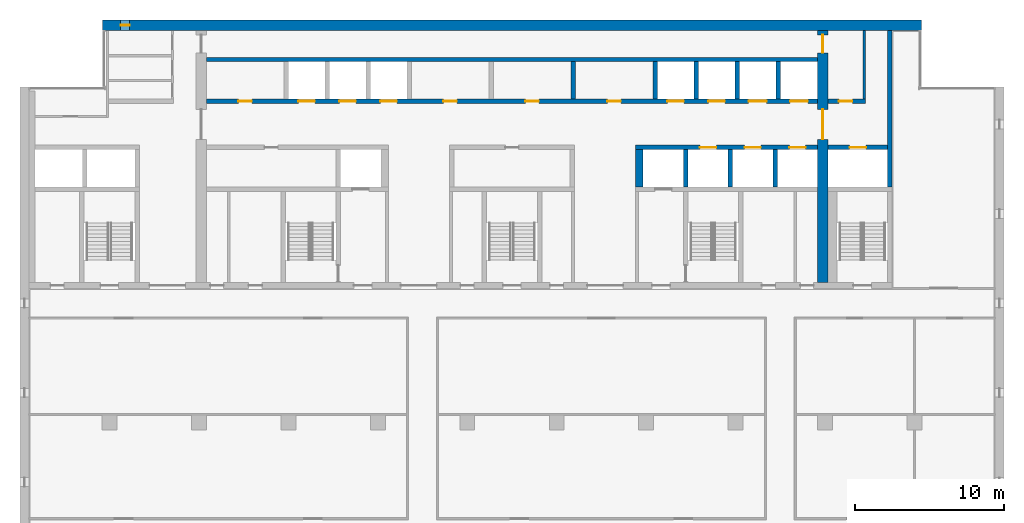
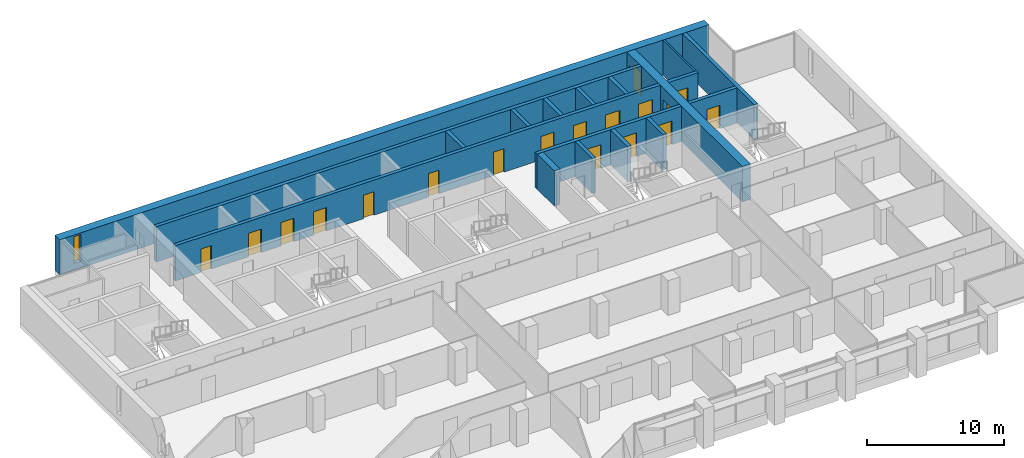
# One storey, part 11 of 16: 18 doors, 18 walls, 1 window, 19 openings.
"""IFC4 building model written with IfcOpenShell, lengths in metres."""

from ifc_helpers import new_model, si_unit, direction, frame, frame_2d, origin, place, context, subcontext, project, spatial, rectangle, extrude, material, layer, layer_set, type_object, element, fill, save


model = new_model("IFC4")

# Units and contexts
model_context = context("Model", 3, precision=1e-05, world=origin(), true_north=direction((0.0, 1.0)))
body_context = subcontext(model_context, "Body", "Model", "MODEL_VIEW")
ifc_project = project(units=[si_unit("LENGTHUNIT", "METRE"), si_unit("AREAUNIT", "SQUARE_METRE"), si_unit("VOLUMEUNIT", "CUBIC_METRE"), si_unit("PLANEANGLEUNIT", "RADIAN"), si_unit("MASSUNIT", "GRAM", prefix="KILO")], contexts=[model_context])

# Site, building, storey
site_placement = place(None, origin())
site = spatial("IfcSite", under=ifc_project, at=site_placement, CompositionType="ELEMENT")
building_placement = place(site_placement, origin())
building = spatial("IfcBuilding", under=site, at=building_placement, Name="Calvaro Tower", CompositionType="ELEMENT")
storey_placement = place(building_placement, frame((0.0, 0.0, 223.0)))
storey = spatial("IfcBuildingStorey", under=building, at=storey_placement, Name="L56", CompositionType="ELEMENT", Elevation=223.0)

# Walls
ifc_material_1 = material(Name="Blockwork partition", Category="masonry")
ifc_layer_1 = layer(ifc_material_1, 0.14990234375)
ifc_layer_set_1 = layer_set([ifc_layer_1], Name="Blockwork partition")
wall_type_1 = type_object("IfcWallType", Name="Core partition 150 REI 120", PredefinedType="PARTITIONING", material=ifc_layer_set_1)
wall_1_placement = place(storey_placement, frame((62.625, 40.699951171875, 0.0), z_axis=(0.0, 0.0, 1.0), x_axis=(0.0, 1.0, 0.0)))
element("IfcWall", 1, at=wall_1_placement, inside=storey, type_object=wall_type_1, Name="Core partition", PredefinedType="PARTITIONING", context=body_context, shape_type="SweptSolid", body=[
    extrude(rectangle(XDim=4.60009765625, YDim=0.14990234375, at=frame_2d((2.300048828125, 0.0))), origin(), (0.0, 0.0, 1.0), 3.14990234375),
])
ifc_material_2 = material(Name="Blockwork partition", Category="masonry")
ifc_layer_2 = layer(ifc_material_2, 0.300048828125)
ifc_layer_set_2 = layer_set([ifc_layer_2], Name="Blockwork partition")
wall_type_2 = type_object("IfcWallType", Name="Core partition 300 EI 60", PredefinedType="PARTITIONING", material=ifc_layer_set_2)
wall_2_placement = place(storey_placement, frame((43.10009765625, 40.699951171875, 0.0), z_axis=(0.0, 0.0, 1.0), x_axis=(0.0, 1.0, 0.0)))
element("IfcWall", 2, at=wall_2_placement, inside=storey, type_object=wall_type_2, Name="Core partition", PredefinedType="PARTITIONING", context=body_context, shape_type="SweptSolid", body=[
    extrude(rectangle(XDim=2.5, YDim=0.300048828125, at=frame_2d((1.25, 0.0))), origin(), (0.0, 0.0, 1.0), 3.14990234375),
])

# Wall, opening, door
ifc_material_3 = material(Name="Blockwork partition", Category="masonry")
ifc_layer_3 = layer(ifc_material_3, 0.300048828125)
ifc_layer_set_3 = layer_set([ifc_layer_3], Name="Blockwork partition")
wall_type_3 = type_object("IfcWallType", Name="Core partition 300 REI 120", PredefinedType="PARTITIONING", material=ifc_layer_set_3)
wall_3_placement = place(storey_placement, frame((60.199951171875, 40.550048828125, 0.0), z_axis=(0.0, 0.0, 1.0), x_axis=(1.0, 0.0, 0.0)))
wall_3 = element("IfcWall", 3, at=wall_3_placement, inside=storey, type_object=wall_type_3, Name="Core partition", PredefinedType="PARTITIONING", context=body_context, shape_type="SweptSolid", body=[
    extrude(rectangle(XDim=2.5, YDim=0.300048828125, at=frame_2d((1.25, 0.0))), origin(), (0.0, 0.0, 1.0), 3.14990234375),
])
opening_1_placement = place(wall_3_placement, frame((0.72509765625, 0.0, 0.0)))
opening_1 = element("IfcOpeningElement", 4, at=opening_1_placement, cuts=wall_3, Name="Opening RD9E", PredefinedType="OPENING", context=body_context, shape_type="SweptSolid", body=[
    extrude(rectangle(XDim=0.89990234375, YDim=2.10009765625, at=frame_2d((0.449951171875, 1.050048828125))), frame((0.0, 0.159912109375, 0.0), z_axis=(0.0, -1.0, 0.0), x_axis=(1.0, 0.0, 0.0)), (0.0, 0.0, 1.0), 0.320068359375),
])
ifc_material_4 = material(Name="Steel door set", Category="steel")
door_type_1 = type_object("IfcDoorType", Name="Room door 900 FD60", OperationType="SINGLE_SWING_LEFT", PredefinedType="DOOR", material=ifc_material_4)
door_1_placement = place(opening_1_placement, origin())
door_1 = element("IfcDoor", 5, at=door_1_placement, inside=storey, type_object=door_type_1, Name="Room door", OperationType="SINGLE_SWING_LEFT", OverallHeight=2.10009765625, OverallWidth=0.89990234375, PredefinedType="DOOR", context=body_context, shape_type="SweptSolid", body=[
    extrude(rectangle(XDim=0.89990234375, YDim=2.10009765625, at=frame_2d((0.449951171875, 1.050048828125))), frame((0.0, 0.02490234375, 0.0), z_axis=(0.0, -1.0, 0.0), x_axis=(1.0, 0.0, 0.0)), (0.0, 0.0, 1.0), 0.050048828125),
])
fill(opening_1, door_1)

# Wall
ifc_material_5 = material(Name="Concrete C50/60", Category="concrete")
ifc_layer_4 = layer(ifc_material_5, 0.300048828125)
ifc_layer_set_4 = layer_set([ifc_layer_4], Name="Concrete C50/60")
wall_type_4 = type_object("IfcWallType", Name="Core wall C50/60 300", PredefinedType="SHEAR", material=ifc_layer_set_4)
wall_4_placement = place(storey_placement, frame((64.35009765625, 34.800048828125, 0.0), z_axis=(0.0, 0.0, 1.0), x_axis=(0.0, 1.0, 0.0)))
element("IfcWall", 6, at=wall_4_placement, inside=storey, type_object=wall_type_4, Name="Core wall, boundary", PredefinedType="SHEAR", context=body_context, shape_type="SweptSolid", body=[
    extrude(rectangle(XDim=10.5, YDim=0.300048828125, at=frame_2d((5.25, 0.0))), origin(), (0.0, 0.0, 1.0), 3.14990234375),
])

# Wall, openings, doors
wall_5_placement = place(storey_placement, frame((47.300048828125, 37.449951171875, 0.0), z_axis=(0.0, 0.0, 1.0), x_axis=(1.0, 0.0, 0.0)))
wall_5 = element("IfcWall", 7, at=wall_5_placement, inside=storey, type_object=wall_type_4, Name="Core wall, lift shaft", PredefinedType="SHEAR", context=body_context, shape_type="SweptSolid", body=[
    extrude(rectangle(XDim=12.199951171875, YDim=0.300048828125, at=frame_2d((6.10009765625, 0.0))), origin(), (0.0, 0.0, 1.0), 3.14990234375),
])
opening_2_placement = place(wall_5_placement, frame((4.300048828125, 0.0, 0.0)))
opening_2 = element("IfcOpeningElement", 8, at=opening_2_placement, cuts=wall_5, Name="Opening HR1", PredefinedType="OPENING", context=body_context, shape_type="SweptSolid", body=[
    extrude(rectangle(XDim=1.10009765625, YDim=2.10009765625, at=frame_2d((0.550048828125, 1.050048828125))), frame((0.0, 0.159912109375, 0.0), z_axis=(0.0, -1.0, 0.0), x_axis=(1.0, 0.0, 0.0)), (0.0, 0.0, 1.0), 0.320068359375),
])
opening_3_placement = place(wall_5_placement, frame((7.300048828125, 0.0, 0.0)))
opening_3 = element("IfcOpeningElement", 9, at=opening_3_placement, cuts=wall_5, Name="Opening HR2", PredefinedType="OPENING", context=body_context, shape_type="SweptSolid", body=[
    extrude(rectangle(XDim=1.10009765625, YDim=2.10009765625, at=frame_2d((0.550048828125, 1.050048828125))), frame((0.0, 0.159912109375, 0.0), z_axis=(0.0, -1.0, 0.0), x_axis=(1.0, 0.0, 0.0)), (0.0, 0.0, 1.0), 0.320068359375),
])
opening_4_placement = place(wall_5_placement, frame((10.300048828125, 0.0, 0.0)))
opening_4 = element("IfcOpeningElement", 10, at=opening_4_placement, cuts=wall_5, Name="Opening HR3", PredefinedType="OPENING", context=body_context, shape_type="SweptSolid", body=[
    extrude(rectangle(XDim=1.10009765625, YDim=2.10009765625, at=frame_2d((0.550048828125, 1.050048828125))), frame((0.0, 0.159912109375, 0.0), z_axis=(0.0, -1.0, 0.0), x_axis=(1.0, 0.0, 0.0)), (0.0, 0.0, 1.0), 0.320068359375),
])
ifc_material_6 = material(Name="Stainless steel", Category="steel")
door_type_2 = type_object("IfcDoorType", Name="Landing door 1100 E 60", OperationType="SLIDING_TO_LEFT", PredefinedType="DOOR", material=ifc_material_6)
door_2_placement = place(opening_2_placement, origin())
door_2 = element("IfcDoor", 11, at=door_2_placement, inside=storey, type_object=door_type_2, Name="Landing door HR1", OperationType="SLIDING_TO_LEFT", OverallHeight=2.10009765625, OverallWidth=1.10009765625, PredefinedType="DOOR", context=body_context, shape_type="SweptSolid", body=[
    extrude(rectangle(XDim=1.10009765625, YDim=2.10009765625, at=frame_2d((0.550048828125, 1.050048828125))), frame((0.0, 0.02490234375, 0.0), z_axis=(0.0, -1.0, 0.0), x_axis=(1.0, 0.0, 0.0)), (0.0, 0.0, 1.0), 0.050048828125),
])
fill(opening_2, door_2)
door_3_placement = place(opening_3_placement, origin())
door_3 = element("IfcDoor", 12, at=door_3_placement, inside=storey, type_object=door_type_2, Name="Landing door HR2", OperationType="SLIDING_TO_LEFT", OverallHeight=2.10009765625, OverallWidth=1.10009765625, PredefinedType="DOOR", context=body_context, shape_type="SweptSolid", body=[
    extrude(rectangle(XDim=1.10009765625, YDim=2.10009765625, at=frame_2d((0.550048828125, 1.050048828125))), frame((0.0, 0.02490234375, 0.0), z_axis=(0.0, -1.0, 0.0), x_axis=(1.0, 0.0, 0.0)), (0.0, 0.0, 1.0), 0.050048828125),
])
fill(opening_3, door_3)
door_4_placement = place(opening_4_placement, origin())
door_4 = element("IfcDoor", 13, at=door_4_placement, inside=storey, type_object=door_type_2, Name="Landing door HR3", OperationType="SLIDING_TO_LEFT", OverallHeight=2.10009765625, OverallWidth=1.10009765625, PredefinedType="DOOR", context=body_context, shape_type="SweptSolid", body=[
    extrude(rectangle(XDim=1.10009765625, YDim=2.10009765625, at=frame_2d((0.550048828125, 1.050048828125))), frame((0.0, 0.02490234375, 0.0), z_axis=(0.0, -1.0, 0.0), x_axis=(1.0, 0.0, 0.0)), (0.0, 0.0, 1.0), 0.050048828125),
])
fill(opening_4, door_4)

# Wall, opening, door
wall_6_placement = place(storey_placement, frame((60.199951171875, 37.449951171875, 0.0), z_axis=(0.0, 0.0, 1.0), x_axis=(1.0, 0.0, 0.0)))
wall_6 = element("IfcWall", 14, at=wall_6_placement, inside=storey, type_object=wall_type_4, Name="Core wall, lift shaft", PredefinedType="SHEAR", context=body_context, shape_type="SweptSolid", body=[
    extrude(rectangle(XDim=4.0, YDim=0.300048828125, at=frame_2d((2.0, 0.0))), origin(), (0.0, 0.0, 1.0), 3.14990234375),
])
opening_5_placement = place(wall_6_placement, frame((1.449951171875, 0.0, 0.0)))
opening_5 = element("IfcOpeningElement", 15, at=opening_5_placement, cuts=wall_6, Name="Opening FF3", PredefinedType="OPENING", context=body_context, shape_type="SweptSolid", body=[
    extrude(rectangle(XDim=1.10009765625, YDim=2.10009765625, at=frame_2d((0.550048828125, 1.050048828125))), frame((0.0, 0.159912109375, 0.0), z_axis=(0.0, -1.0, 0.0), x_axis=(1.0, 0.0, 0.0)), (0.0, 0.0, 1.0), 0.320068359375),
])
door_5_placement = place(opening_5_placement, origin())
door_5 = element("IfcDoor", 16, at=door_5_placement, inside=storey, type_object=door_type_2, Name="Landing door FF3", OperationType="SLIDING_TO_LEFT", OverallHeight=2.10009765625, OverallWidth=1.10009765625, PredefinedType="DOOR", context=body_context, shape_type="SweptSolid", body=[
    extrude(rectangle(XDim=1.10009765625, YDim=2.10009765625, at=frame_2d((0.550048828125, 1.050048828125))), frame((0.0, 0.02490234375, 0.0), z_axis=(0.0, -1.0, 0.0), x_axis=(1.0, 0.0, 0.0)), (0.0, 0.0, 1.0), 0.050048828125),
])
fill(opening_5, door_5)

# Wall
wall_7_placement = place(storey_placement, frame((50.64990234375, 34.800048828125, 0.0), z_axis=(0.0, 0.0, 1.0), x_axis=(0.0, 1.0, 0.0)))
element("IfcWall", 17, at=wall_7_placement, inside=storey, type_object=wall_type_4, Name="Core wall, lift shaft", PredefinedType="SHEAR", context=body_context, shape_type="SweptSolid", body=[
    extrude(rectangle(XDim=2.5, YDim=0.300048828125, at=frame_2d((1.25, 0.0))), origin(), (0.0, 0.0, 1.0), 3.14990234375),
])

# Wall, openings, doors
wall_8_placement = place(storey_placement, frame((18.5, 40.550048828125, 0.0), z_axis=(0.0, 0.0, 1.0), x_axis=(1.0, 0.0, 0.0)))
wall_8 = element("IfcWall", 18, at=wall_8_placement, inside=storey, type_object=wall_type_4, Name="Core wall, bay", PredefinedType="SHEAR", context=body_context, shape_type="SweptSolid", body=[
    extrude(rectangle(XDim=41.0, YDim=0.300048828125, at=frame_2d((20.5, 0.0))), origin(), (0.0, 0.0, 1.0), 3.14990234375),
])
opening_6_placement = place(wall_8_placement, frame((2.14990234375, 0.0, 0.0)))
opening_6 = element("IfcOpeningElement", 19, at=opening_6_placement, cuts=wall_8, Name="Opening RD9E", PredefinedType="OPENING", context=body_context, shape_type="SweptSolid", body=[
    extrude(rectangle(XDim=0.89990234375, YDim=2.10009765625, at=frame_2d((0.449951171875, 1.050048828125))), frame((0.0, 0.159912109375, 0.0), z_axis=(0.0, -1.0, 0.0), x_axis=(1.0, 0.0, 0.0)), (0.0, 0.0, 1.0), 0.320068359375),
])
opening_7_placement = place(wall_8_placement, frame((15.89990234375, 0.0, 0.0)))
opening_7 = element("IfcOpeningElement", 20, at=opening_7_placement, cuts=wall_8, Name="Opening RD9E", PredefinedType="OPENING", context=body_context, shape_type="SweptSolid", body=[
    extrude(rectangle(XDim=0.89990234375, YDim=2.10009765625, at=frame_2d((0.449951171875, 1.050048828125))), frame((0.0, 0.159912109375, 0.0), z_axis=(0.0, -1.0, 0.0), x_axis=(1.0, 0.0, 0.0)), (0.0, 0.0, 1.0), 0.320068359375),
])
opening_8_placement = place(wall_8_placement, frame((21.39990234375, 0.0, 0.0)))
opening_8 = element("IfcOpeningElement", 21, at=opening_8_placement, cuts=wall_8, Name="Opening RD9E", PredefinedType="OPENING", context=body_context, shape_type="SweptSolid", body=[
    extrude(rectangle(XDim=0.89990234375, YDim=2.10009765625, at=frame_2d((0.449951171875, 1.050048828125))), frame((0.0, 0.159912109375, 0.0), z_axis=(0.0, -1.0, 0.0), x_axis=(1.0, 0.0, 0.0)), (0.0, 0.0, 1.0), 0.320068359375),
])
opening_9_placement = place(wall_8_placement, frame((26.89990234375, 0.0, 0.0)))
opening_9 = element("IfcOpeningElement", 22, at=opening_9_placement, cuts=wall_8, Name="Opening RD9C", PredefinedType="OPENING", context=body_context, shape_type="SweptSolid", body=[
    extrude(rectangle(XDim=0.89990234375, YDim=2.10009765625, at=frame_2d((0.449951171875, 1.050048828125))), frame((0.0, 0.159912109375, 0.0), z_axis=(0.0, -1.0, 0.0), x_axis=(1.0, 0.0, 0.0)), (0.0, 0.0, 1.0), 0.320068359375),
])
opening_10_placement = place(wall_8_placement, frame((6.175048828125, 0.0, 0.0)))
opening_10 = element("IfcOpeningElement", 23, at=opening_10_placement, cuts=wall_8, Name="Opening HR4", PredefinedType="OPENING", context=body_context, shape_type="SweptSolid", body=[
    extrude(rectangle(XDim=1.10009765625, YDim=2.10009765625, at=frame_2d((0.550048828125, 1.050048828125))), frame((0.0, 0.159912109375, 0.0), z_axis=(0.0, -1.0, 0.0), x_axis=(1.0, 0.0, 0.0)), (0.0, 0.0, 1.0), 0.320068359375),
])
opening_11_placement = place(wall_8_placement, frame((8.925048828125, 0.0, 0.0)))
opening_11 = element("IfcOpeningElement", 24, at=opening_11_placement, cuts=wall_8, Name="Opening HR5", PredefinedType="OPENING", context=body_context, shape_type="SweptSolid", body=[
    extrude(rectangle(XDim=1.10009765625, YDim=2.10009765625, at=frame_2d((0.550048828125, 1.050048828125))), frame((0.0, 0.159912109375, 0.0), z_axis=(0.0, -1.0, 0.0), x_axis=(1.0, 0.0, 0.0)), (0.0, 0.0, 1.0), 0.320068359375),
])
opening_12_placement = place(wall_8_placement, frame((11.675048828125, 0.0, 0.0)))
opening_12 = element("IfcOpeningElement", 25, at=opening_12_placement, cuts=wall_8, Name="Opening HR6", PredefinedType="OPENING", context=body_context, shape_type="SweptSolid", body=[
    extrude(rectangle(XDim=1.10009765625, YDim=2.10009765625, at=frame_2d((0.550048828125, 1.050048828125))), frame((0.0, 0.159912109375, 0.0), z_axis=(0.0, -1.0, 0.0), x_axis=(1.0, 0.0, 0.0)), (0.0, 0.0, 1.0), 0.320068359375),
])
opening_13_placement = place(wall_8_placement, frame((30.925048828125, 0.0, 0.0)))
opening_13 = element("IfcOpeningElement", 26, at=opening_13_placement, cuts=wall_8, Name="Opening HR7", PredefinedType="OPENING", context=body_context, shape_type="SweptSolid", body=[
    extrude(rectangle(XDim=1.10009765625, YDim=2.10009765625, at=frame_2d((0.550048828125, 1.050048828125))), frame((0.0, 0.159912109375, 0.0), z_axis=(0.0, -1.0, 0.0), x_axis=(1.0, 0.0, 0.0)), (0.0, 0.0, 1.0), 0.320068359375),
])
opening_14_placement = place(wall_8_placement, frame((33.675048828125, 0.0, 0.0)))
opening_14 = element("IfcOpeningElement", 27, at=opening_14_placement, cuts=wall_8, Name="Opening HR8", PredefinedType="OPENING", context=body_context, shape_type="SweptSolid", body=[
    extrude(rectangle(XDim=1.10009765625, YDim=2.10009765625, at=frame_2d((0.550048828125, 1.050048828125))), frame((0.0, 0.159912109375, 0.0), z_axis=(0.0, -1.0, 0.0), x_axis=(1.0, 0.0, 0.0)), (0.0, 0.0, 1.0), 0.320068359375),
])
opening_15_placement = place(wall_8_placement, frame((36.375, 0.0, 0.0)))
opening_15 = element("IfcOpeningElement", 28, at=opening_15_placement, cuts=wall_8, Name="Opening SV1", PredefinedType="OPENING", context=body_context, shape_type="SweptSolid", body=[
    extrude(rectangle(XDim=1.199951171875, YDim=2.10009765625, at=frame_2d((0.60009765625, 1.050048828125))), frame((0.0, 0.159912109375, 0.0), z_axis=(0.0, -1.0, 0.0), x_axis=(1.0, 0.0, 0.0)), (0.0, 0.0, 1.0), 0.320068359375),
])
opening_16_placement = place(wall_8_placement, frame((39.14990234375, 0.0, 0.0)))
opening_16 = element("IfcOpeningElement", 29, at=opening_16_placement, cuts=wall_8, Name="Opening SV2", PredefinedType="OPENING", context=body_context, shape_type="SweptSolid", body=[
    extrude(rectangle(XDim=1.199951171875, YDim=2.10009765625, at=frame_2d((0.60009765625, 1.050048828125))), frame((0.0, 0.159912109375, 0.0), z_axis=(0.0, -1.0, 0.0), x_axis=(1.0, 0.0, 0.0)), (0.0, 0.0, 1.0), 0.320068359375),
])
door_6_placement = place(opening_10_placement, origin())
door_6 = element("IfcDoor", 30, at=door_6_placement, inside=storey, type_object=door_type_2, Name="Landing door HR4", OperationType="SLIDING_TO_LEFT", OverallHeight=2.10009765625, OverallWidth=1.10009765625, PredefinedType="DOOR", context=body_context, shape_type="SweptSolid", body=[
    extrude(rectangle(XDim=1.10009765625, YDim=2.10009765625, at=frame_2d((0.550048828125, 1.050048828125))), frame((0.0, 0.02490234375, 0.0), z_axis=(0.0, -1.0, 0.0), x_axis=(1.0, 0.0, 0.0)), (0.0, 0.0, 1.0), 0.050048828125),
])
fill(opening_10, door_6)
door_7_placement = place(opening_11_placement, origin())
door_7 = element("IfcDoor", 31, at=door_7_placement, inside=storey, type_object=door_type_2, Name="Landing door HR5", OperationType="SLIDING_TO_LEFT", OverallHeight=2.10009765625, OverallWidth=1.10009765625, PredefinedType="DOOR", context=body_context, shape_type="SweptSolid", body=[
    extrude(rectangle(XDim=1.10009765625, YDim=2.10009765625, at=frame_2d((0.550048828125, 1.050048828125))), frame((0.0, 0.02490234375, 0.0), z_axis=(0.0, -1.0, 0.0), x_axis=(1.0, 0.0, 0.0)), (0.0, 0.0, 1.0), 0.050048828125),
])
fill(opening_11, door_7)
door_8_placement = place(opening_12_placement, origin())
door_8 = element("IfcDoor", 32, at=door_8_placement, inside=storey, type_object=door_type_2, Name="Landing door HR6", OperationType="SLIDING_TO_LEFT", OverallHeight=2.10009765625, OverallWidth=1.10009765625, PredefinedType="DOOR", context=body_context, shape_type="SweptSolid", body=[
    extrude(rectangle(XDim=1.10009765625, YDim=2.10009765625, at=frame_2d((0.550048828125, 1.050048828125))), frame((0.0, 0.02490234375, 0.0), z_axis=(0.0, -1.0, 0.0), x_axis=(1.0, 0.0, 0.0)), (0.0, 0.0, 1.0), 0.050048828125),
])
fill(opening_12, door_8)
door_9_placement = place(opening_13_placement, origin())
door_9 = element("IfcDoor", 33, at=door_9_placement, inside=storey, type_object=door_type_2, Name="Landing door HR7", OperationType="SLIDING_TO_LEFT", OverallHeight=2.10009765625, OverallWidth=1.10009765625, PredefinedType="DOOR", context=body_context, shape_type="SweptSolid", body=[
    extrude(rectangle(XDim=1.10009765625, YDim=2.10009765625, at=frame_2d((0.550048828125, 1.050048828125))), frame((0.0, 0.02490234375, 0.0), z_axis=(0.0, -1.0, 0.0), x_axis=(1.0, 0.0, 0.0)), (0.0, 0.0, 1.0), 0.050048828125),
])
fill(opening_13, door_9)
door_10_placement = place(opening_14_placement, origin())
door_10 = element("IfcDoor", 34, at=door_10_placement, inside=storey, type_object=door_type_2, Name="Landing door HR8", OperationType="SLIDING_TO_LEFT", OverallHeight=2.10009765625, OverallWidth=1.10009765625, PredefinedType="DOOR", context=body_context, shape_type="SweptSolid", body=[
    extrude(rectangle(XDim=1.10009765625, YDim=2.10009765625, at=frame_2d((0.550048828125, 1.050048828125))), frame((0.0, 0.02490234375, 0.0), z_axis=(0.0, -1.0, 0.0), x_axis=(1.0, 0.0, 0.0)), (0.0, 0.0, 1.0), 0.050048828125),
])
fill(opening_14, door_10)
ifc_material_7 = material(Name="Stainless steel", Category="steel")
door_type_3 = type_object("IfcDoorType", Name="Landing door 1200 E 60", OperationType="SLIDING_TO_LEFT", PredefinedType="DOOR", material=ifc_material_7)
door_11_placement = place(opening_15_placement, origin())
door_11 = element("IfcDoor", 35, at=door_11_placement, inside=storey, type_object=door_type_3, Name="Landing door SV1", OperationType="SLIDING_TO_LEFT", OverallHeight=2.10009765625, OverallWidth=1.199951171875, PredefinedType="DOOR", context=body_context, shape_type="SweptSolid", body=[
    extrude(rectangle(XDim=1.199951171875, YDim=2.10009765625, at=frame_2d((0.60009765625, 1.050048828125))), frame((0.0, 0.02490234375, 0.0), z_axis=(0.0, -1.0, 0.0), x_axis=(1.0, 0.0, 0.0)), (0.0, 0.0, 1.0), 0.050048828125),
])
fill(opening_15, door_11)
door_12_placement = place(opening_16_placement, origin())
door_12 = element("IfcDoor", 36, at=door_12_placement, inside=storey, type_object=door_type_3, Name="Landing door SV2", OperationType="SLIDING_TO_LEFT", OverallHeight=2.10009765625, OverallWidth=1.199951171875, PredefinedType="DOOR", context=body_context, shape_type="SweptSolid", body=[
    extrude(rectangle(XDim=1.199951171875, YDim=2.10009765625, at=frame_2d((0.60009765625, 1.050048828125))), frame((0.0, 0.02490234375, 0.0), z_axis=(0.0, -1.0, 0.0), x_axis=(1.0, 0.0, 0.0)), (0.0, 0.0, 1.0), 0.050048828125),
])
fill(opening_16, door_12)
ifc_material_8 = material(Name="Steel door set", Category="steel")
door_type_4 = type_object("IfcDoorType", Name="Room door 900 FD30", OperationType="SINGLE_SWING_LEFT", PredefinedType="DOOR", material=ifc_material_8)
door_13_placement = place(opening_9_placement, origin())
door_13 = element("IfcDoor", 37, at=door_13_placement, inside=storey, type_object=door_type_4, Name="Room door", OperationType="SINGLE_SWING_LEFT", OverallHeight=2.10009765625, OverallWidth=0.89990234375, PredefinedType="DOOR", context=body_context, shape_type="SweptSolid", body=[
    extrude(rectangle(XDim=0.89990234375, YDim=2.10009765625, at=frame_2d((0.449951171875, 1.050048828125))), frame((0.0, 0.02490234375, 0.0), z_axis=(0.0, -1.0, 0.0), x_axis=(1.0, 0.0, 0.0)), (0.0, 0.0, 1.0), 0.050048828125),
])
fill(opening_9, door_13)
door_14_placement = place(opening_6_placement, origin())
door_14 = element("IfcDoor", 38, at=door_14_placement, inside=storey, type_object=door_type_1, Name="Room door", OperationType="SINGLE_SWING_RIGHT", OverallHeight=2.10009765625, OverallWidth=0.89990234375, PredefinedType="DOOR", context=body_context, shape_type="SweptSolid", body=[
    extrude(rectangle(XDim=0.89990234375, YDim=2.10009765625, at=frame_2d((0.449951171875, 1.050048828125))), frame((0.0, 0.02490234375, 0.0), z_axis=(0.0, -1.0, 0.0), x_axis=(1.0, 0.0, 0.0)), (0.0, 0.0, 1.0), 0.050048828125),
])
fill(opening_6, door_14)
door_15_placement = place(opening_7_placement, origin())
door_15 = element("IfcDoor", 39, at=door_15_placement, inside=storey, type_object=door_type_1, Name="Room door", OperationType="SINGLE_SWING_LEFT", OverallHeight=2.10009765625, OverallWidth=0.89990234375, PredefinedType="DOOR", context=body_context, shape_type="SweptSolid", body=[
    extrude(rectangle(XDim=0.89990234375, YDim=2.10009765625, at=frame_2d((0.449951171875, 1.050048828125))), frame((0.0, 0.02490234375, 0.0), z_axis=(0.0, -1.0, 0.0), x_axis=(1.0, 0.0, 0.0)), (0.0, 0.0, 1.0), 0.050048828125),
])
fill(opening_7, door_15)
door_16_placement = place(opening_8_placement, origin())
door_16 = element("IfcDoor", 40, at=door_16_placement, inside=storey, type_object=door_type_1, Name="Room door", OperationType="SINGLE_SWING_LEFT", OverallHeight=2.10009765625, OverallWidth=0.89990234375, PredefinedType="DOOR", context=body_context, shape_type="SweptSolid", body=[
    extrude(rectangle(XDim=0.89990234375, YDim=2.10009765625, at=frame_2d((0.449951171875, 1.050048828125))), frame((0.0, 0.02490234375, 0.0), z_axis=(0.0, -1.0, 0.0), x_axis=(1.0, 0.0, 0.0)), (0.0, 0.0, 1.0), 0.050048828125),
])
fill(opening_8, door_16)

# Walls
wall_9_placement = place(storey_placement, frame((18.5, 43.35009765625, 0.0), z_axis=(0.0, 0.0, 1.0), x_axis=(1.0, 0.0, 0.0)))
element("IfcWall", 41, at=wall_9_placement, inside=storey, type_object=wall_type_4, Name="Core wall, lift shaft", PredefinedType="SHEAR", context=body_context, shape_type="SweptSolid", body=[
    extrude(rectangle(XDim=41.0, YDim=0.300048828125, at=frame_2d((20.5, 0.0))), origin(), (0.0, 0.0, 1.0), 3.14990234375),
])
for number, where, z_axis, x_axis, name in (
    (42, (53.64990234375, 34.800048828125, 0.0), (0.0, 0.0, 1.0), (0.0, 1.0, 0.0), "Core wall, lift shaft"),
    (43, (56.64990234375, 34.800048828125, 0.0), (0.0, 0.0, 1.0), (0.0, 1.0, 0.0), "Core wall, lift shaft"),
    (44, (48.60009765625, 40.699951171875, 0.0), (0.0, 0.0, 1.0), (0.0, 1.0, 0.0), "Core wall, lift shaft"),
    (45, (51.35009765625, 40.699951171875, 0.0), (0.0, 0.0, 1.0), (0.0, 1.0, 0.0), "Core wall, lift shaft"),
    (46, (54.10009765625, 40.699951171875, 0.0), (0.0, 0.0, 1.0), (0.0, 1.0, 0.0), "Core wall, lift shaft"),
    (47, (56.85009765625, 40.699951171875, 0.0), (0.0, 0.0, 1.0), (0.0, 1.0, 0.0), "Core wall, lift shaft"),
):
    element("IfcWall", number, at=place(storey_placement, frame(where, z_axis=z_axis, x_axis=x_axis)), inside=storey, type_object=wall_type_4, Name=name, PredefinedType="SHEAR", context=body_context, shape_type="SweptSolid", body=[
        extrude(rectangle(XDim=2.5, YDim=0.300048828125, at=frame_2d((1.25, 0.0))), origin(), (0.0, 0.0, 1.0), 3.14990234375),
    ])
ifc_material_9 = material(Name="Concrete C50/60", Category="concrete")
ifc_layer_5 = layer(ifc_material_9, 0.5)
ifc_layer_set_5 = layer_set([ifc_layer_5], Name="Concrete C50/60")
wall_type_5 = type_object("IfcWallType", Name="Core wall C50/60 500", PredefinedType="SHEAR", material=ifc_layer_set_5)
wall_10_placement = place(storey_placement, frame((47.550048828125, 34.800048828125, 0.0), z_axis=(0.0, 0.0, 1.0), x_axis=(0.0, 1.0, 0.0)))
element("IfcWall", 48, at=wall_10_placement, inside=storey, type_object=wall_type_5, Name="Core wall, lift shaft", PredefinedType="SHEAR", context=body_context, shape_type="SweptSolid", body=[
    extrude(rectangle(XDim=2.5, YDim=0.5, at=frame_2d((1.25, 0.0))), origin(), (0.0, 0.0, 1.0), 3.14990234375),
])

# Wall, openings, doors
ifc_material_10 = material(Name="Concrete C50/60", Category="concrete")
ifc_layer_6 = layer(ifc_material_10, 0.699951171875)
ifc_layer_set_6 = layer_set([ifc_layer_6], Name="Concrete C50/60")
wall_type_6 = type_object("IfcWallType", Name="Core wall C50/60 700", PredefinedType="SHEAR", material=ifc_layer_set_6)
wall_11_placement = place(storey_placement, frame((59.85009765625, 28.39990234375, 0.0), z_axis=(0.0, 0.0, 1.0), x_axis=(0.0, 1.0, 0.0)))
wall_11 = element("IfcWall", 49, at=wall_11_placement, inside=storey, type_object=wall_type_6, Name="Core wall, cross shear wall", PredefinedType="SHEAR", context=body_context, shape_type="SweptSolid", body=[
    extrude(rectangle(XDim=16.900146484375, YDim=0.699951171875, at=frame_2d((8.4501953125, 0.0))), origin(), (0.0, 0.0, 1.0), 3.14990234375),
])
opening_17_placement = place(wall_11_placement, frame((9.60009765625, 0.0, 0.0)))
opening_17 = element("IfcOpeningElement", 50, at=opening_17_placement, cuts=wall_11, Name="Opening DD20D", PredefinedType="OPENING", context=body_context, shape_type="SweptSolid", body=[
    extrude(rectangle(XDim=2.0, YDim=2.10009765625, at=frame_2d((1.0, 1.050048828125))), frame((0.0, 0.35986328125, 0.0), z_axis=(0.0, -1.0, 0.0), x_axis=(1.0, 0.0, 0.0)), (0.0, 0.0, 1.0), 0.719970703125),
])
opening_18_placement = place(wall_11_placement, frame((15.39990234375, 0.0, 0.0)))
opening_18 = element("IfcOpeningElement", 51, at=opening_18_placement, cuts=wall_11, Name="Opening FD12C", PredefinedType="OPENING", context=body_context, shape_type="SweptSolid", body=[
    extrude(rectangle(XDim=1.199951171875, YDim=2.10009765625, at=frame_2d((0.60009765625, 1.050048828125))), frame((0.0, 0.35986328125, 0.0), z_axis=(0.0, -1.0, 0.0), x_axis=(1.0, 0.0, 0.0)), (0.0, 0.0, 1.0), 0.719970703125),
])
ifc_material_11 = material(Name="Steel door set", Category="steel")
door_type_5 = type_object("IfcDoorType", Name="Fire door 1200 FD30", OperationType="SINGLE_SWING_LEFT", PredefinedType="DOOR", material=ifc_material_11)
door_17_placement = place(opening_18_placement, origin())
door_17 = element("IfcDoor", 52, at=door_17_placement, inside=storey, type_object=door_type_5, Name="Fire door", OperationType="SINGLE_SWING_LEFT", OverallHeight=2.10009765625, OverallWidth=1.199951171875, PredefinedType="DOOR", context=body_context, shape_type="SweptSolid", body=[
    extrude(rectangle(XDim=1.199951171875, YDim=2.10009765625, at=frame_2d((0.60009765625, 1.050048828125))), frame((0.0, 0.02490234375, 0.0), z_axis=(0.0, -1.0, 0.0), x_axis=(1.0, 0.0, 0.0)), (0.0, 0.0, 1.0), 0.050048828125),
])
fill(opening_18, door_17)
ifc_material_12 = material(Name="Steel door set", Category="steel")
door_type_6 = type_object("IfcDoorType", Name="Lobby double door 2000 FD30S", OperationType="DOUBLE_DOOR_SINGLE_SWING", PredefinedType="DOOR", material=ifc_material_12)
door_18_placement = place(opening_17_placement, origin())
door_18 = element("IfcDoor", 53, at=door_18_placement, inside=storey, type_object=door_type_6, Name="Lobby double door", OperationType="DOUBLE_DOOR_SINGLE_SWING", OverallHeight=2.10009765625, OverallWidth=2.0, PredefinedType="DOOR", context=body_context, shape_type="SweptSolid", body=[
    extrude(rectangle(XDim=2.0, YDim=2.10009765625, at=frame_2d((1.0, 1.050048828125))), frame((0.0, 0.02490234375, 0.0), z_axis=(0.0, -1.0, 0.0), x_axis=(1.0, 0.0, 0.0)), (0.0, 0.0, 1.0), 0.050048828125),
])
fill(opening_17, door_18)

# Wall, opening, window
ifc_material_13 = material(Name="Concrete C50/60", Category="concrete")
ifc_layer_7 = layer(ifc_material_13, 0.699951171875)
ifc_layer_set_7 = layer_set([ifc_layer_7], Name="Concrete C50/60")
wall_type_7 = type_object("IfcWallType", Name="Rear core wall 700 C50/60", PredefinedType="SHEAR", material=ifc_layer_set_7)
wall_12_placement = place(storey_placement, frame((11.550048828125, 45.64990234375, 0.0), z_axis=(0.0, 0.0, 1.0), x_axis=(1.0, 0.0, 0.0)))
wall_12 = element("IfcWall", 54, at=wall_12_placement, inside=storey, type_object=wall_type_7, Name="North core wall", PredefinedType="SHEAR", context=body_context, shape_type="SweptSolid", body=[
    extrude(rectangle(XDim=54.89990234375, YDim=0.699951171875, at=frame_2d((27.449951171875, 0.0))), origin(), (0.0, 0.0, 1.0), 3.14990234375),
])
opening_19_placement = place(wall_12_placement, frame((1.199951171875, 0.0, 0.60009765625)))
opening_19 = element("IfcOpeningElement", 55, at=opening_19_placement, cuts=wall_12, Name="Opening WN01", PredefinedType="OPENING", context=body_context, shape_type="SweptSolid", body=[
    extrude(rectangle(XDim=0.60009765625, YDim=2.39990234375, at=frame_2d((0.300048828125, 1.199951171875))), frame((0.0, 0.35986328125, 0.0), z_axis=(0.0, -1.0, 0.0), x_axis=(1.0, 0.0, 0.0)), (0.0, 0.0, 1.0), 0.719970703125),
])
ifc_material_14 = material(Name="Glass", Category="glass")
window_type = type_object("IfcWindowType", Name="Slit window 600 x 2400", PartitioningType="SINGLE_PANEL", PredefinedType="WINDOW", material=ifc_material_14)
window_placement = place(opening_19_placement, origin())
window = element("IfcWindow", 56, at=window_placement, inside=storey, type_object=window_type, Name="Window WN01", OverallHeight=2.39990234375, OverallWidth=0.60009765625, PartitioningType="SINGLE_PANEL", PredefinedType="WINDOW", context=body_context, shape_type="SweptSolid", body=[
    extrude(rectangle(XDim=0.60009765625, YDim=2.39990234375, at=frame_2d((0.300048828125, 1.199951171875))), frame((0.0, 0.030029296875, 0.0), z_axis=(0.0, -1.0, 0.0), x_axis=(1.0, 0.0, 0.0)), (0.0, 0.0, 1.0), 0.06005859375),
])
fill(opening_19, window)

save(model, "model.ifc")
